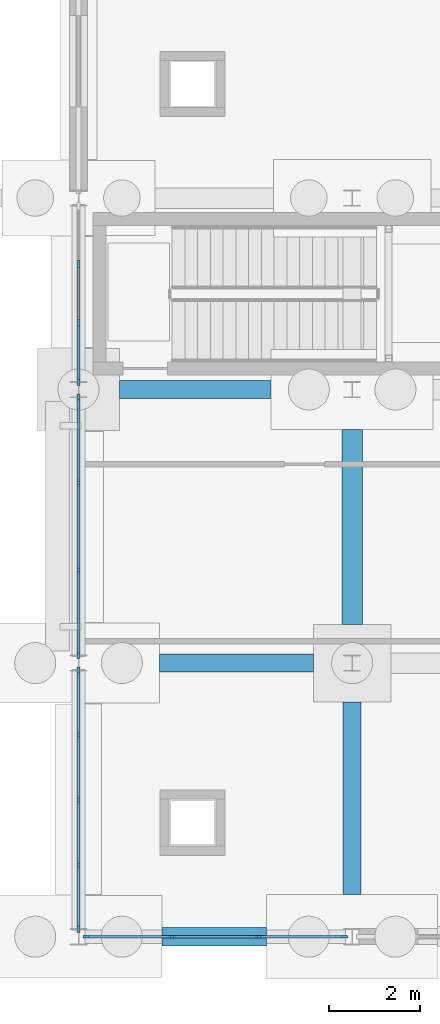
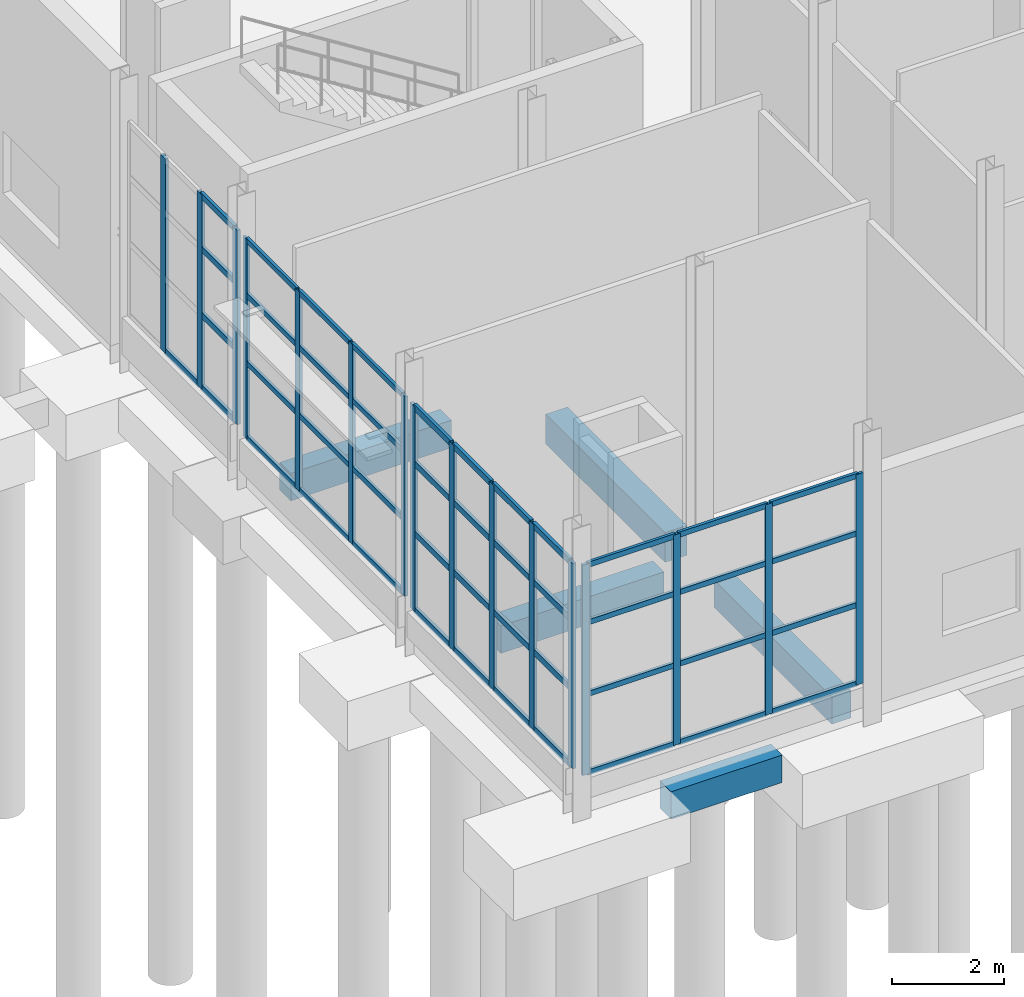
# One storey, part 30 of 120: 61 members, 5 beams, 4 elements without a shape of their own.
"""IFC4 building model written with IfcOpenShell, lengths in metres."""

import ifcopenshell
import ifcopenshell.guid

model = None  # the IFC model being written
_history = None  # IfcOwnerHistory: only IFC2X3 demands one
_inside = {}  # id of a spatial element -> (the spatial element, [elements in it])
_under = {}  # id of a project, library or spatial element -> (it, [spatial elements below it])
_declared = {}  # id of a project -> (the project, [libraries it declares])
_typed = {}  # id of a type object -> (the type object, [elements of that type])
_made_of = {}  # id of a material, layer set ... -> (it, [elements and type objects made of it])


def new_model(schema):
    """Start an empty IFC model of exactly this schema.

    Asked for "IFC4X3", IfcOpenShell would pick the latest addendum, in which some entities
    have other attributes; the version numbers below select the first issue.
    IFC2X3 requires an IfcOwnerHistory on every rooted entity: one is made here for all.
    """
    global model, _history
    if schema == "IFC4X3":
        model = ifcopenshell.file(schema_version=(4, 3, 0, 0))
    else:
        model = ifcopenshell.file(schema=schema)
    _inside.clear()
    _under.clear()
    _declared.clear()
    _typed.clear()
    _made_of.clear()
    _history = None
    if model.schema == "IFC2X3":
        org = make("IfcOrganization", Name="unknown")
        user = make(
            "IfcPersonAndOrganization",
            ThePerson=make("IfcPerson", FamilyName="unknown"),
            TheOrganization=org,
        )
        app = make(
            "IfcApplication",
            ApplicationDeveloper=org,
            Version="unknown",
            ApplicationFullName="unknown",
            ApplicationIdentifier="unknown",
        )
        _history = make(
            "IfcOwnerHistory",
            OwningUser=user,
            OwningApplication=app,
            ChangeAction="ADDED",
            CreationDate=0,
        )
    return model


def make(cls, **values):
    """One entity of the class cls with the attributes given. An attribute that is None is left unset."""
    return model.create_entity(
        cls, **{name: value for name, value in values.items() if value is not None}
    )


def rooted(cls, **values):
    """An entity with a GlobalId (a new one), such as an element, a storey or a relation."""
    return make(cls, GlobalId=ifcopenshell.guid.new(), OwnerHistory=_history, **values)


def si_unit(unit_type, name, prefix=None):
    """IfcSIUnit, for example si_unit("LENGTHUNIT", "METRE", prefix="MILLI")."""
    return make("IfcSIUnit", UnitType=unit_type, Prefix=prefix, Name=name)


def assignment(units):
    """IfcUnitAssignment: the units of a project."""
    return None if units is None else make("IfcUnitAssignment", Units=units)


def point(xyz):
    """IfcCartesianPoint."""
    return None if xyz is None else make("IfcCartesianPoint", Coordinates=xyz)


def direction(xyz):
    """IfcDirection."""
    return None if xyz is None else make("IfcDirection", DirectionRatios=xyz)


def frame(location, z_axis=None, x_axis=None):
    """IfcAxis2Placement3D, a coordinate frame: its origin and axes. An axis left out is left unset."""
    return make(
        "IfcAxis2Placement3D",
        Location=point(location),
        Axis=direction(z_axis),
        RefDirection=direction(x_axis),
    )


def frame_2d(location, x_axis=None):
    """IfcAxis2Placement2D, a coordinate frame in the plane: its origin and x axis."""
    return make(
        "IfcAxis2Placement2D", Location=point(location), RefDirection=direction(x_axis)
    )


def origin():
    """The frame at (0, 0, 0) with its axes left unset."""
    return frame((0.0, 0.0, 0.0))


def origin_2d():
    """The frame at (0, 0) in the plane with its x axis left unset."""
    return frame_2d((0.0, 0.0))


def place(relative_to, where):
    """IfcLocalPlacement: puts the frame where relative to a parent placement (None: the world)."""
    return make(
        "IfcLocalPlacement", PlacementRelTo=relative_to, RelativePlacement=where
    )


def context(
    kind, dimensions, precision=None, world=None, true_north=None, identifier=None
):
    """IfcGeometricRepresentationContext, for example the 3D "Model" context."""
    return make(
        "IfcGeometricRepresentationContext",
        ContextIdentifier=identifier,
        ContextType=kind,
        CoordinateSpaceDimension=dimensions,
        Precision=precision,
        WorldCoordinateSystem=world,
        TrueNorth=true_north,
    )


def subcontext(parent, identifier, kind, view, scale=None):
    """IfcGeometricRepresentationSubContext, for example "Body" below "Model"."""
    return make(
        "IfcGeometricRepresentationSubContext",
        ContextIdentifier=identifier,
        ContextType=kind,
        ParentContext=parent,
        TargetScale=scale,
        TargetView=view,
    )


def project(units=None, contexts=None):
    """IfcProject with its units and contexts."""
    return rooted(
        "IfcProject",
        Name="project",
        RepresentationContexts=contexts,
        UnitsInContext=assignment(units),
    )


def spatial(cls, under=None, at=None, **own):
    """A site, building, storey or space (cls), placed at a placement, below another one or the project."""
    s = rooted(cls, ObjectPlacement=at, **own)
    if under is not None:
        _under.setdefault(under.id(), (under, []))[1].append(s)
    return s


def profile(cls, at=None, kind="AREA", **sizes):
    """A parametric profile (cls). Its sizes go by their IFC names, for example OverallWidth=200.0."""
    return make(cls, ProfileType=kind, Position=at, **sizes)


def rectangle(**sizes):
    """IfcRectangleProfileDef."""
    return profile("IfcRectangleProfileDef", **sizes)


def extrude(swept, where, along, depth):
    """IfcExtrudedAreaSolid: the profile swept, set in the frame where, extruded along a direction by depth."""
    return make(
        "IfcExtrudedAreaSolid",
        SweptArea=swept,
        Position=where,
        ExtrudedDirection=direction(along),
        Depth=depth,
    )


def shape(context_of_items, identifier, shape_type, items):
    """IfcShapeRepresentation: the items that make up one representation, for example the "Body"."""
    return make(
        "IfcShapeRepresentation",
        ContextOfItems=context_of_items,
        RepresentationIdentifier=identifier,
        RepresentationType=shape_type,
        Items=items,
    )


def material(Name=None, Category=None):
    """IfcMaterial."""
    return make("IfcMaterial", Name=Name, Category=Category)


def material_profile(
    of_material, cross_section, Name=None, Category=None, Priority=None
):
    """IfcMaterialProfile: a cross section and its material."""
    return make(
        "IfcMaterialProfile",
        Name=Name,
        Material=of_material,
        Profile=cross_section,
        Priority=Priority,
        Category=Category,
    )


def profile_set(profiles, Name=None, composite=None):
    """IfcMaterialProfileSet."""
    return make(
        "IfcMaterialProfileSet",
        Name=Name,
        MaterialProfiles=profiles,
        CompositeProfile=composite,
    )


def made_of(thing, what):
    """Note that an element or type object is made of a material, layer set ...; save() writes the relation."""
    if what is not None:
        _made_of.setdefault(what.id(), (what, []))[1].append(thing)
    return thing


def type_object(cls, material=None, **own):
    """A type object (cls), such as IfcWallType, which elements share."""
    return made_of(rooted(cls, **own), material)


def element(
    cls,
    number,
    at=None,
    inside=None,
    cuts=None,
    type_object=None,
    material=None,
    context=None,
    identifier="Body",
    shape_type=None,
    held_by="IfcProductDefinitionShape",
    body=None,
    shapes=None,
    **own,
):
    """One element of the class cls, such as IfcWall. Its Tag is "e" and its number.

    at: its placement. inside: the storey or other place that contains it. cuts: it is an
    opening in that element (IfcRelVoidsElement). A single representation is given by context,
    identifier, shape_type and body (its items); several are given by shapes. held_by: the class
    of the entity that holds the representations. save() writes the other relations.
    """
    e = rooted(cls, Tag="e%d" % number, ObjectPlacement=at, **own)
    if body is not None:
        shapes = [shape(context, identifier, shape_type, body)]
    if shapes is not None:
        e.Representation = make(held_by, Representations=shapes)
    if inside is not None:
        _inside.setdefault(inside.id(), (inside, []))[1].append(e)
    if cuts is not None:
        rooted(
            "IfcRelVoidsElement", RelatingBuildingElement=cuts, RelatedOpeningElement=e
        )
    if type_object is not None:
        _typed.setdefault(type_object.id(), (type_object, []))[1].append(e)
    return made_of(e, material)


def aggregate(whole, parts):
    """IfcRelAggregates: a whole, such as a stair, and the parts it consists of."""
    return rooted("IfcRelAggregates", RelatingObject=whole, RelatedObjects=parts)


def save(model, path):
    """Write the relations noted so far, then the file.

    IfcRelAggregates (storeys below a building ...), IfcRelContainedInSpatialStructure (elements
    in a storey), IfcRelDefinesByType, IfcRelAssociatesMaterial and IfcRelDeclares: one each for
    every whole, place, type object, material and project.
    """
    for whole, parts in _under.values():
        aggregate(whole, parts)
    for where, things in _inside.values():
        rooted(
            "IfcRelContainedInSpatialStructure",
            RelatedElements=things,
            RelatingStructure=where,
        )
    for kind, things in _typed.values():
        rooted("IfcRelDefinesByType", RelatedObjects=things, RelatingType=kind)
    for what, things in _made_of.values():
        rooted("IfcRelAssociatesMaterial", RelatedObjects=things, RelatingMaterial=what)
    for by, libraries in _declared.values():
        rooted("IfcRelDeclares", RelatingContext=by, RelatedDefinitions=libraries)
    model.write(path)


model = new_model("IFC4")

# Units and contexts
model_context = context("Model", 3, precision=1e-05, world=origin(), true_north=direction((0.0, 1.0)))
body_context = subcontext(model_context, "Body", "Model", "MODEL_VIEW")
ifc_project = project(units=[si_unit("LENGTHUNIT", "METRE"), si_unit("AREAUNIT", "SQUARE_METRE"), si_unit("VOLUMEUNIT", "CUBIC_METRE"), si_unit("PLANEANGLEUNIT", "RADIAN"), si_unit("MASSUNIT", "GRAM", prefix="KILO")], contexts=[model_context])

# Site, building, storey
site_placement = place(None, origin())
site = spatial("IfcSite", under=ifc_project, at=site_placement, CompositionType="ELEMENT")
building_placement = place(site_placement, origin())
building = spatial("IfcBuilding", under=site, at=building_placement, Name="Siltcreek Boulevard Central Fire Station", CompositionType="ELEMENT")
storey_placement = place(building_placement, origin())
storey = spatial("IfcBuildingStorey", under=building, at=storey_placement, Name="L01", CompositionType="ELEMENT", Elevation=0.0)

# Curtain wall, members
ifc_material_1 = material(Name="Anodized aluminum and low-E insulated glazing", Category="aluminium")
curtain_wall_type_1 = type_object("IfcCurtainWallType", Name="CW_SYS_02", PredefinedType="USERDEFINED", material=ifc_material_1)
curtain_wall_1_placement = place(storey_placement, origin())
curtain_wall_1 = element("IfcCurtainWall", 1, at=curtain_wall_1_placement, inside=storey, type_object=curtain_wall_type_1, Name="L01 V1 unitised curtain wall CW-001", ObjectType="CURTAIN WALL", PredefinedType="USERDEFINED")
ifc_material_2 = material(Name="Anodized 6063-T6 aluminum framing", Category="aluminium")
ifc_material_profile_1 = material_profile(ifc_material_2, rectangle(XDim=0.06005859375, YDim=0.14990234375, at=origin_2d()), Name="MULL60X150")
ifc_profile_set_1 = profile_set([ifc_material_profile_1], Name="Anodized 6063-T6 aluminum framing")
member_type_1 = type_object("IfcMemberType", Name="CWM_60X150", PredefinedType="MULLION", material=ifc_profile_set_1)
member_1_placement = place(storey_placement, frame((42.175048828125, 1.800048828125, 0.43994140625), z_axis=(0.0, 0.0, 1.0), x_axis=(0.0, 1.0, 0.0)))
member_1 = element("IfcMember", 2, at=member_1_placement, type_object=member_type_1, Name="CW-001 mullion 1", PredefinedType="MULLION", context=body_context, shape_type="SweptSolid", body=[
    extrude(rectangle(XDim=0.06005859375, YDim=0.14990234375, at=origin_2d()), origin(), (0.0, 0.0, 1.0), 4.594970703125),
])
member_2_placement = place(storey_placement, frame((44.04833984375, 1.800048828125, 0.43994140625), z_axis=(0.0, 0.0, 1.0), x_axis=(0.0, 1.0, 0.0)))
member_2 = element("IfcMember", 3, at=member_2_placement, type_object=member_type_1, Name="CW-001 mullion 2", PredefinedType="MULLION", context=body_context, shape_type="SweptSolid", body=[
    extrude(rectangle(XDim=0.06005859375, YDim=0.14990234375, at=origin_2d()), origin(), (0.0, 0.0, 1.0), 4.594970703125),
])
member_3_placement = place(storey_placement, frame((45.95166015625, 1.800048828125, 0.43994140625), z_axis=(0.0, 0.0, 1.0), x_axis=(0.0, 1.0, 0.0)))
member_3 = element("IfcMember", 4, at=member_3_placement, type_object=member_type_1, Name="CW-001 mullion 3", PredefinedType="MULLION", context=body_context, shape_type="SweptSolid", body=[
    extrude(rectangle(XDim=0.06005859375, YDim=0.14990234375, at=origin_2d()), origin(), (0.0, 0.0, 1.0), 4.594970703125),
])
member_4_placement = place(storey_placement, frame((47.824951171875, 1.800048828125, 0.43994140625), z_axis=(0.0, 0.0, 1.0), x_axis=(0.0, 1.0, 0.0)))
member_4 = element("IfcMember", 5, at=member_4_placement, type_object=member_type_1, Name="CW-001 mullion 4", PredefinedType="MULLION", context=body_context, shape_type="SweptSolid", body=[
    extrude(rectangle(XDim=0.06005859375, YDim=0.14990234375, at=origin_2d()), origin(), (0.0, 0.0, 1.0), 4.594970703125),
])

curtain_wall_type_2 = type_object("IfcCurtainWallType", Name="CW_SYS_10", PredefinedType="USERDEFINED", material=ifc_material_1)
curtain_wall_2_placement = place(storey_placement, origin())
curtain_wall_2 = element("IfcCurtainWall", 6, at=curtain_wall_2_placement, inside=storey, type_object=curtain_wall_type_2, Name="L01 V1 unitised curtain wall CW-009", ObjectType="CURTAIN WALL", PredefinedType="USERDEFINED")
member_5_placement = place(storey_placement, frame((42.0, 13.625, 0.679931640625), z_axis=(0.0, 0.0, 1.0), x_axis=(1.0, 0.0, 0.0)))
member_5 = element("IfcMember", 7, at=member_5_placement, type_object=member_type_1, Name="CW-009 mullion 1", PredefinedType="MULLION", context=body_context, shape_type="SweptSolid", body=[
    extrude(rectangle(XDim=0.06005859375, YDim=0.14990234375, at=origin_2d()), origin(), (0.0, 0.0, 1.0), 4.364013671875),
])
member_6_placement = place(storey_placement, frame((42.0, 11.751708984375, 0.679931640625), z_axis=(0.0, 0.0, 1.0), x_axis=(1.0, 0.0, 0.0)))
member_6 = element("IfcMember", 8, at=member_6_placement, type_object=member_type_1, Name="CW-009 mullion 2", PredefinedType="MULLION", context=body_context, shape_type="SweptSolid", body=[
    extrude(rectangle(XDim=0.06005859375, YDim=0.14990234375, at=origin_2d()), origin(), (0.0, 0.0, 1.0), 4.364013671875),
])
member_7_placement = place(storey_placement, frame((42.0, 9.848388671875, 0.679931640625), z_axis=(0.0, 0.0, 1.0), x_axis=(1.0, 0.0, 0.0)))
member_7 = element("IfcMember", 9, at=member_7_placement, type_object=member_type_1, Name="CW-009 mullion 3", PredefinedType="MULLION", context=body_context, shape_type="SweptSolid", body=[
    extrude(rectangle(XDim=0.06005859375, YDim=0.14990234375, at=origin_2d()), origin(), (0.0, 0.0, 1.0), 4.364013671875),
])
member_8_placement = place(storey_placement, frame((42.0, 7.97509765625, 0.679931640625), z_axis=(0.0, 0.0, 1.0), x_axis=(1.0, 0.0, 0.0)))
member_8 = element("IfcMember", 10, at=member_8_placement, type_object=member_type_1, Name="CW-009 mullion 4", PredefinedType="MULLION", context=body_context, shape_type="SweptSolid", body=[
    extrude(rectangle(XDim=0.06005859375, YDim=0.14990234375, at=origin_2d()), origin(), (0.0, 0.0, 1.0), 4.364013671875),
])

curtain_wall_type_3 = type_object("IfcCurtainWallType", Name="CW_SYS_09", PredefinedType="USERDEFINED", material=ifc_material_1)
curtain_wall_3_placement = place(storey_placement, origin())
curtain_wall_3 = element("IfcCurtainWall", 11, at=curtain_wall_3_placement, inside=storey, type_object=curtain_wall_type_3, Name="L01 V1 unitised curtain wall CW-008", ObjectType="CURTAIN WALL", PredefinedType="USERDEFINED")
ifc_material_profile_2 = material_profile(ifc_material_2, rectangle(XDim=0.06494140625, YDim=0.175048828125, at=origin_2d()), Name="MULL65X175")
ifc_profile_set_2 = profile_set([ifc_material_profile_2], Name="Anodized 6063-T6 aluminum framing")
member_type_2 = type_object("IfcMemberType", Name="CWM_65X175", PredefinedType="MULLION", material=ifc_profile_set_2)
member_9_placement = place(storey_placement, frame((42.0, 7.62255859375, 0.56005859375), z_axis=(0.0, 0.0, 1.0), x_axis=(1.0, 0.0, 0.0)))
member_9 = element("IfcMember", 12, at=member_9_placement, type_object=member_type_2, Name="CW-008 mullion 1", PredefinedType="MULLION", context=body_context, shape_type="SweptSolid", body=[
    extrude(rectangle(XDim=0.06494140625, YDim=0.175048828125, at=origin_2d()), origin(), (0.0, 0.0, 1.0), 4.48388671875),
])
member_10_placement = place(storey_placement, frame((42.0, 6.2275390625, 0.56005859375), z_axis=(0.0, 0.0, 1.0), x_axis=(1.0, 0.0, 0.0)))
member_10 = element("IfcMember", 13, at=member_10_placement, type_object=member_type_2, Name="CW-008 mullion 2", PredefinedType="MULLION", context=body_context, shape_type="SweptSolid", body=[
    extrude(rectangle(XDim=0.06494140625, YDim=0.175048828125, at=origin_2d()), origin(), (0.0, 0.0, 1.0), 4.48388671875),
])
member_11_placement = place(storey_placement, frame((42.0, 4.800048828125, 0.56005859375), z_axis=(0.0, 0.0, 1.0), x_axis=(1.0, 0.0, 0.0)))
member_11 = element("IfcMember", 14, at=member_11_placement, type_object=member_type_2, Name="CW-008 mullion 3", PredefinedType="MULLION", context=body_context, shape_type="SweptSolid", body=[
    extrude(rectangle(XDim=0.06494140625, YDim=0.175048828125, at=origin_2d()), origin(), (0.0, 0.0, 1.0), 4.48388671875),
])
member_12_placement = place(storey_placement, frame((42.0, 3.37255859375, 0.56005859375), z_axis=(0.0, 0.0, 1.0), x_axis=(1.0, 0.0, 0.0)))
member_12 = element("IfcMember", 15, at=member_12_placement, type_object=member_type_2, Name="CW-008 mullion 4", PredefinedType="MULLION", context=body_context, shape_type="SweptSolid", body=[
    extrude(rectangle(XDim=0.06494140625, YDim=0.175048828125, at=origin_2d()), origin(), (0.0, 0.0, 1.0), 4.48388671875),
])
member_13_placement = place(storey_placement, frame((42.0, 1.9775390625, 0.56005859375), z_axis=(0.0, 0.0, 1.0), x_axis=(1.0, 0.0, 0.0)))
member_13 = element("IfcMember", 16, at=member_13_placement, type_object=member_type_2, Name="CW-008 mullion 5", PredefinedType="MULLION", context=body_context, shape_type="SweptSolid", body=[
    extrude(rectangle(XDim=0.06494140625, YDim=0.175048828125, at=origin_2d()), origin(), (0.0, 0.0, 1.0), 4.48388671875),
])

curtain_wall_type_4 = type_object("IfcCurtainWallType", Name="CW_SYS_11", PredefinedType="USERDEFINED", material=ifc_material_1)
curtain_wall_4_placement = place(storey_placement, origin())
curtain_wall_4 = element("IfcCurtainWall", 17, at=curtain_wall_4_placement, inside=storey, type_object=curtain_wall_type_4, Name="L01 V1 unitised curtain wall CW-010", ObjectType="CURTAIN WALL", PredefinedType="USERDEFINED")
member_14_placement = place(storey_placement, frame((42.0, 16.5517578125, 0.800048828125), z_axis=(0.0, 0.0, 1.0), x_axis=(1.0, 0.0, 0.0)))
member_14 = element("IfcMember", 18, at=member_14_placement, type_object=member_type_2, Name="CW-010 mullion 2", PredefinedType="MULLION", context=body_context, shape_type="SweptSolid", body=[
    extrude(rectangle(XDim=0.06494140625, YDim=0.175048828125, at=origin_2d()), origin(), (0.0, 0.0, 1.0), 4.243896484375),
])
member_15_placement = place(storey_placement, frame((42.0, 15.248291015625, 0.800048828125), z_axis=(0.0, 0.0, 1.0), x_axis=(1.0, 0.0, 0.0)))
member_15 = element("IfcMember", 19, at=member_15_placement, type_object=member_type_2, Name="CW-010 mullion 3", PredefinedType="MULLION", context=body_context, shape_type="SweptSolid", body=[
    extrude(rectangle(XDim=0.06494140625, YDim=0.175048828125, at=origin_2d()), origin(), (0.0, 0.0, 1.0), 4.243896484375),
])
member_16_placement = place(storey_placement, frame((42.0, 13.9775390625, 0.800048828125), z_axis=(0.0, 0.0, 1.0), x_axis=(1.0, 0.0, 0.0)))
member_16 = element("IfcMember", 20, at=member_16_placement, type_object=member_type_2, Name="CW-010 mullion 4", PredefinedType="MULLION", context=body_context, shape_type="SweptSolid", body=[
    extrude(rectangle(XDim=0.06494140625, YDim=0.175048828125, at=origin_2d()), origin(), (0.0, 0.0, 1.0), 4.243896484375),
])

# Member
ifc_material_profile_3 = material_profile(ifc_material_2, rectangle(XDim=0.06005859375, YDim=0.114990234375, at=origin_2d()), Name="TRAN60X115")
ifc_profile_set_3 = profile_set([ifc_material_profile_3], Name="Anodized 6063-T6 aluminum framing")
member_type_3 = type_object("IfcMemberType", Name="CWT_60X115", PredefinedType="USERDEFINED", material=ifc_profile_set_3)
member_17_placement = place(storey_placement, frame((42.205078125, 1.800048828125, 0.469970703125), z_axis=(1.0, 0.0, 0.0), x_axis=(0.0, 1.0, 0.0)))
member_17 = element("IfcMember", 21, at=member_17_placement, type_object=member_type_3, Name="CW-001 transom 1.1", ObjectType="TRANSOM", PredefinedType="USERDEFINED", context=body_context, shape_type="SweptSolid", body=[
    extrude(rectangle(XDim=0.06005859375, YDim=0.114990234375, at=origin_2d()), origin(), (0.0, 0.0, 1.0), 1.813232421875),
])

member_18_placement = place(storey_placement, frame((42.205078125, 1.800048828125, 2.18603515625), z_axis=(1.0, 0.0, 0.0), x_axis=(0.0, 1.0, 0.0)))
member_18 = element("IfcMember", 22, at=member_18_placement, type_object=member_type_3, Name="CW-001 transom 1.2", ObjectType="TRANSOM", PredefinedType="USERDEFINED", context=body_context, shape_type="SweptSolid", body=[
    extrude(rectangle(XDim=0.06005859375, YDim=0.114990234375, at=origin_2d()), origin(), (0.0, 0.0, 1.0), 1.813232421875),
])

member_19_placement = place(storey_placement, frame((42.205078125, 1.800048828125, 3.748291015625), z_axis=(1.0, 0.0, 0.0), x_axis=(0.0, 1.0, 0.0)))
member_19 = element("IfcMember", 23, at=member_19_placement, type_object=member_type_3, Name="CW-001 transom 1.3", ObjectType="TRANSOM", PredefinedType="USERDEFINED", context=body_context, shape_type="SweptSolid", body=[
    extrude(rectangle(XDim=0.06005859375, YDim=0.114990234375, at=origin_2d()), origin(), (0.0, 0.0, 1.0), 1.813232421875),
])

member_20_placement = place(storey_placement, frame((42.205078125, 1.800048828125, 5.0048828125), z_axis=(1.0, 0.0, 0.0), x_axis=(0.0, 1.0, 0.0)))
member_20 = element("IfcMember", 24, at=member_20_placement, type_object=member_type_3, Name="CW-001 transom 1.4", ObjectType="TRANSOM", PredefinedType="USERDEFINED", context=body_context, shape_type="SweptSolid", body=[
    extrude(rectangle(XDim=0.06005859375, YDim=0.114990234375, at=origin_2d()), origin(), (0.0, 0.0, 1.0), 1.813232421875),
])

member_21_placement = place(storey_placement, frame((44.078369140625, 1.800048828125, 0.469970703125), z_axis=(1.0, 0.0, 0.0), x_axis=(0.0, 1.0, 0.0)))
member_21 = element("IfcMember", 25, at=member_21_placement, type_object=member_type_3, Name="CW-001 transom 2.1", ObjectType="TRANSOM", PredefinedType="USERDEFINED", context=body_context, shape_type="SweptSolid", body=[
    extrude(rectangle(XDim=0.06005859375, YDim=0.114990234375, at=origin_2d()), origin(), (0.0, 0.0, 1.0), 1.84326171875),
])

member_22_placement = place(storey_placement, frame((44.078369140625, 1.800048828125, 2.18603515625), z_axis=(1.0, 0.0, 0.0), x_axis=(0.0, 1.0, 0.0)))
member_22 = element("IfcMember", 26, at=member_22_placement, type_object=member_type_3, Name="CW-001 transom 2.2", ObjectType="TRANSOM", PredefinedType="USERDEFINED", context=body_context, shape_type="SweptSolid", body=[
    extrude(rectangle(XDim=0.06005859375, YDim=0.114990234375, at=origin_2d()), origin(), (0.0, 0.0, 1.0), 1.84326171875),
])

member_23_placement = place(storey_placement, frame((44.078369140625, 1.800048828125, 3.748291015625), z_axis=(1.0, 0.0, 0.0), x_axis=(0.0, 1.0, 0.0)))
member_23 = element("IfcMember", 27, at=member_23_placement, type_object=member_type_3, Name="CW-001 transom 2.3", ObjectType="TRANSOM", PredefinedType="USERDEFINED", context=body_context, shape_type="SweptSolid", body=[
    extrude(rectangle(XDim=0.06005859375, YDim=0.114990234375, at=origin_2d()), origin(), (0.0, 0.0, 1.0), 1.84326171875),
])

member_24_placement = place(storey_placement, frame((44.078369140625, 1.800048828125, 5.0048828125), z_axis=(1.0, 0.0, 0.0), x_axis=(0.0, 1.0, 0.0)))
member_24 = element("IfcMember", 28, at=member_24_placement, type_object=member_type_3, Name="CW-001 transom 2.4", ObjectType="TRANSOM", PredefinedType="USERDEFINED", context=body_context, shape_type="SweptSolid", body=[
    extrude(rectangle(XDim=0.06005859375, YDim=0.114990234375, at=origin_2d()), origin(), (0.0, 0.0, 1.0), 1.84326171875),
])

member_25_placement = place(storey_placement, frame((45.981689453125, 1.800048828125, 0.469970703125), z_axis=(1.0, 0.0, 0.0), x_axis=(0.0, 1.0, 0.0)))
member_25 = element("IfcMember", 29, at=member_25_placement, type_object=member_type_3, Name="CW-001 transom 3.1", ObjectType="TRANSOM", PredefinedType="USERDEFINED", context=body_context, shape_type="SweptSolid", body=[
    extrude(rectangle(XDim=0.06005859375, YDim=0.114990234375, at=origin_2d()), origin(), (0.0, 0.0, 1.0), 1.813232421875),
])

member_26_placement = place(storey_placement, frame((45.981689453125, 1.800048828125, 2.18603515625), z_axis=(1.0, 0.0, 0.0), x_axis=(0.0, 1.0, 0.0)))
member_26 = element("IfcMember", 30, at=member_26_placement, type_object=member_type_3, Name="CW-001 transom 3.2", ObjectType="TRANSOM", PredefinedType="USERDEFINED", context=body_context, shape_type="SweptSolid", body=[
    extrude(rectangle(XDim=0.06005859375, YDim=0.114990234375, at=origin_2d()), origin(), (0.0, 0.0, 1.0), 1.813232421875),
])

member_27_placement = place(storey_placement, frame((45.981689453125, 1.800048828125, 3.748291015625), z_axis=(1.0, 0.0, 0.0), x_axis=(0.0, 1.0, 0.0)))
member_27 = element("IfcMember", 31, at=member_27_placement, type_object=member_type_3, Name="CW-001 transom 3.3", ObjectType="TRANSOM", PredefinedType="USERDEFINED", context=body_context, shape_type="SweptSolid", body=[
    extrude(rectangle(XDim=0.06005859375, YDim=0.114990234375, at=origin_2d()), origin(), (0.0, 0.0, 1.0), 1.813232421875),
])

member_28_placement = place(storey_placement, frame((45.981689453125, 1.800048828125, 5.0048828125), z_axis=(1.0, 0.0, 0.0), x_axis=(0.0, 1.0, 0.0)))
member_28 = element("IfcMember", 32, at=member_28_placement, type_object=member_type_3, Name="CW-001 transom 3.4", ObjectType="TRANSOM", PredefinedType="USERDEFINED", context=body_context, shape_type="SweptSolid", body=[
    extrude(rectangle(XDim=0.06005859375, YDim=0.114990234375, at=origin_2d()), origin(), (0.0, 0.0, 1.0), 1.813232421875),
])

aggregate(curtain_wall_1, [member_1, member_2, member_3, member_4, member_17, member_18, member_19, member_20, member_21, member_22, member_23, member_24, member_25, member_26, member_27, member_28])

member_29_placement = place(storey_placement, frame((42.0, 13.594970703125, 0.7099609375), z_axis=(0.0, -1.0, 0.0), x_axis=(1.0, 0.0, 0.0)))
member_29 = element("IfcMember", 33, at=member_29_placement, type_object=member_type_3, Name="CW-009 transom 1.1", ObjectType="TRANSOM", PredefinedType="USERDEFINED", context=body_context, shape_type="SweptSolid", body=[
    extrude(rectangle(XDim=0.06005859375, YDim=0.114990234375, at=origin_2d()), origin(), (0.0, 0.0, 1.0), 1.813232421875),
])

member_30_placement = place(storey_placement, frame((42.0, 13.594970703125, 2.33837890625), z_axis=(0.0, -1.0, 0.0), x_axis=(1.0, 0.0, 0.0)))
member_30 = element("IfcMember", 34, at=member_30_placement, type_object=member_type_3, Name="CW-009 transom 1.2", ObjectType="TRANSOM", PredefinedType="USERDEFINED", context=body_context, shape_type="SweptSolid", body=[
    extrude(rectangle(XDim=0.06005859375, YDim=0.114990234375, at=origin_2d()), origin(), (0.0, 0.0, 1.0), 1.813232421875),
])

member_31_placement = place(storey_placement, frame((42.0, 13.594970703125, 3.822021484375), z_axis=(0.0, -1.0, 0.0), x_axis=(1.0, 0.0, 0.0)))
member_31 = element("IfcMember", 35, at=member_31_placement, type_object=member_type_3, Name="CW-009 transom 1.3", ObjectType="TRANSOM", PredefinedType="USERDEFINED", context=body_context, shape_type="SweptSolid", body=[
    extrude(rectangle(XDim=0.06005859375, YDim=0.114990234375, at=origin_2d()), origin(), (0.0, 0.0, 1.0), 1.813232421875),
])

member_32_placement = place(storey_placement, frame((42.0, 13.594970703125, 5.013916015625), z_axis=(0.0, -1.0, 0.0), x_axis=(1.0, 0.0, 0.0)))
member_32 = element("IfcMember", 36, at=member_32_placement, type_object=member_type_3, Name="CW-009 transom 1.4", ObjectType="TRANSOM", PredefinedType="USERDEFINED", context=body_context, shape_type="SweptSolid", body=[
    extrude(rectangle(XDim=0.06005859375, YDim=0.114990234375, at=origin_2d()), origin(), (0.0, 0.0, 1.0), 1.813232421875),
])

member_33_placement = place(storey_placement, frame((42.0, 11.7216796875, 0.7099609375), z_axis=(0.0, -1.0, 0.0), x_axis=(1.0, 0.0, 0.0)))
member_33 = element("IfcMember", 37, at=member_33_placement, type_object=member_type_3, Name="CW-009 transom 2.1", ObjectType="TRANSOM", PredefinedType="USERDEFINED", context=body_context, shape_type="SweptSolid", body=[
    extrude(rectangle(XDim=0.06005859375, YDim=0.114990234375, at=origin_2d()), origin(), (0.0, 0.0, 1.0), 1.84326171875),
])

member_34_placement = place(storey_placement, frame((42.0, 11.7216796875, 2.33837890625), z_axis=(0.0, -1.0, 0.0), x_axis=(1.0, 0.0, 0.0)))
member_34 = element("IfcMember", 38, at=member_34_placement, type_object=member_type_3, Name="CW-009 transom 2.2", ObjectType="TRANSOM", PredefinedType="USERDEFINED", context=body_context, shape_type="SweptSolid", body=[
    extrude(rectangle(XDim=0.06005859375, YDim=0.114990234375, at=origin_2d()), origin(), (0.0, 0.0, 1.0), 1.84326171875),
])

member_35_placement = place(storey_placement, frame((42.0, 11.7216796875, 3.822021484375), z_axis=(0.0, -1.0, 0.0), x_axis=(1.0, 0.0, 0.0)))
member_35 = element("IfcMember", 39, at=member_35_placement, type_object=member_type_3, Name="CW-009 transom 2.3", ObjectType="TRANSOM", PredefinedType="USERDEFINED", context=body_context, shape_type="SweptSolid", body=[
    extrude(rectangle(XDim=0.06005859375, YDim=0.114990234375, at=origin_2d()), origin(), (0.0, 0.0, 1.0), 1.84326171875),
])

member_36_placement = place(storey_placement, frame((42.0, 11.7216796875, 5.013916015625), z_axis=(0.0, -1.0, 0.0), x_axis=(1.0, 0.0, 0.0)))
member_36 = element("IfcMember", 40, at=member_36_placement, type_object=member_type_3, Name="CW-009 transom 2.4", ObjectType="TRANSOM", PredefinedType="USERDEFINED", context=body_context, shape_type="SweptSolid", body=[
    extrude(rectangle(XDim=0.06005859375, YDim=0.114990234375, at=origin_2d()), origin(), (0.0, 0.0, 1.0), 1.84326171875),
])

member_37_placement = place(storey_placement, frame((42.0, 9.818359375, 0.7099609375), z_axis=(0.0, -1.0, 0.0), x_axis=(1.0, 0.0, 0.0)))
member_37 = element("IfcMember", 41, at=member_37_placement, type_object=member_type_3, Name="CW-009 transom 3.1", ObjectType="TRANSOM", PredefinedType="USERDEFINED", context=body_context, shape_type="SweptSolid", body=[
    extrude(rectangle(XDim=0.06005859375, YDim=0.114990234375, at=origin_2d()), origin(), (0.0, 0.0, 1.0), 1.8134765625),
])

member_38_placement = place(storey_placement, frame((42.0, 9.818359375, 2.33837890625), z_axis=(0.0, -1.0, 0.0), x_axis=(1.0, 0.0, 0.0)))
member_38 = element("IfcMember", 42, at=member_38_placement, type_object=member_type_3, Name="CW-009 transom 3.2", ObjectType="TRANSOM", PredefinedType="USERDEFINED", context=body_context, shape_type="SweptSolid", body=[
    extrude(rectangle(XDim=0.06005859375, YDim=0.114990234375, at=origin_2d()), origin(), (0.0, 0.0, 1.0), 1.8134765625),
])

member_39_placement = place(storey_placement, frame((42.0, 9.818359375, 3.822021484375), z_axis=(0.0, -1.0, 0.0), x_axis=(1.0, 0.0, 0.0)))
member_39 = element("IfcMember", 43, at=member_39_placement, type_object=member_type_3, Name="CW-009 transom 3.3", ObjectType="TRANSOM", PredefinedType="USERDEFINED", context=body_context, shape_type="SweptSolid", body=[
    extrude(rectangle(XDim=0.06005859375, YDim=0.114990234375, at=origin_2d()), origin(), (0.0, 0.0, 1.0), 1.8134765625),
])

member_40_placement = place(storey_placement, frame((42.0, 9.818359375, 5.013916015625), z_axis=(0.0, -1.0, 0.0), x_axis=(1.0, 0.0, 0.0)))
member_40 = element("IfcMember", 44, at=member_40_placement, type_object=member_type_3, Name="CW-009 transom 3.4", ObjectType="TRANSOM", PredefinedType="USERDEFINED", context=body_context, shape_type="SweptSolid", body=[
    extrude(rectangle(XDim=0.06005859375, YDim=0.114990234375, at=origin_2d()), origin(), (0.0, 0.0, 1.0), 1.8134765625),
])

aggregate(curtain_wall_2, [member_5, member_6, member_7, member_8, member_29, member_30, member_31, member_32, member_33, member_34, member_35, member_36, member_37, member_38, member_39, member_40])

ifc_material_profile_4 = material_profile(ifc_material_2, rectangle(XDim=0.06494140625, YDim=0.135009765625, at=origin_2d()), Name="TRAN65X135")
ifc_profile_set_4 = profile_set([ifc_material_profile_4], Name="Anodized 6063-T6 aluminum framing")
member_type_4 = type_object("IfcMemberType", Name="CWT_65X135", PredefinedType="USERDEFINED", material=ifc_profile_set_4)
member_41_placement = place(storey_placement, frame((42.0, 7.590087890625, 0.592529296875), z_axis=(0.0, -1.0, 0.0), x_axis=(1.0, 0.0, 0.0)))
member_41 = element("IfcMember", 45, at=member_41_placement, type_object=member_type_4, Name="CW-008 transom 1.1", ObjectType="TRANSOM", PredefinedType="USERDEFINED", context=body_context, shape_type="SweptSolid", body=[
    extrude(rectangle(XDim=0.06494140625, YDim=0.135009765625, at=origin_2d()), origin(), (0.0, 0.0, 1.0), 1.330078125),
])

member_42_placement = place(storey_placement, frame((42.0, 7.590087890625, 2.263916015625), z_axis=(0.0, -1.0, 0.0), x_axis=(1.0, 0.0, 0.0)))
member_42 = element("IfcMember", 46, at=member_42_placement, type_object=member_type_4, Name="CW-008 transom 1.2", ObjectType="TRANSOM", PredefinedType="USERDEFINED", context=body_context, shape_type="SweptSolid", body=[
    extrude(rectangle(XDim=0.06494140625, YDim=0.135009765625, at=origin_2d()), origin(), (0.0, 0.0, 1.0), 1.330078125),
])

member_43_placement = place(storey_placement, frame((42.0, 7.590087890625, 3.78857421875), z_axis=(0.0, -1.0, 0.0), x_axis=(1.0, 0.0, 0.0)))
member_43 = element("IfcMember", 47, at=member_43_placement, type_object=member_type_4, Name="CW-008 transom 1.3", ObjectType="TRANSOM", PredefinedType="USERDEFINED", context=body_context, shape_type="SweptSolid", body=[
    extrude(rectangle(XDim=0.06494140625, YDim=0.135009765625, at=origin_2d()), origin(), (0.0, 0.0, 1.0), 1.330078125),
])

member_44_placement = place(storey_placement, frame((42.0, 7.590087890625, 5.011474609375), z_axis=(0.0, -1.0, 0.0), x_axis=(1.0, 0.0, 0.0)))
member_44 = element("IfcMember", 48, at=member_44_placement, type_object=member_type_4, Name="CW-008 transom 1.4", ObjectType="TRANSOM", PredefinedType="USERDEFINED", context=body_context, shape_type="SweptSolid", body=[
    extrude(rectangle(XDim=0.06494140625, YDim=0.135009765625, at=origin_2d()), origin(), (0.0, 0.0, 1.0), 1.330078125),
])

member_45_placement = place(storey_placement, frame((42.0, 6.195068359375, 0.592529296875), z_axis=(0.0, -1.0, 0.0), x_axis=(1.0, 0.0, 0.0)))
member_45 = element("IfcMember", 49, at=member_45_placement, type_object=member_type_4, Name="CW-008 transom 2.1", ObjectType="TRANSOM", PredefinedType="USERDEFINED", context=body_context, shape_type="SweptSolid", body=[
    extrude(rectangle(XDim=0.06494140625, YDim=0.135009765625, at=origin_2d()), origin(), (0.0, 0.0, 1.0), 1.362548828125),
])

member_46_placement = place(storey_placement, frame((42.0, 6.195068359375, 2.263916015625), z_axis=(0.0, -1.0, 0.0), x_axis=(1.0, 0.0, 0.0)))
member_46 = element("IfcMember", 50, at=member_46_placement, type_object=member_type_4, Name="CW-008 transom 2.2", ObjectType="TRANSOM", PredefinedType="USERDEFINED", context=body_context, shape_type="SweptSolid", body=[
    extrude(rectangle(XDim=0.06494140625, YDim=0.135009765625, at=origin_2d()), origin(), (0.0, 0.0, 1.0), 1.362548828125),
])

member_47_placement = place(storey_placement, frame((42.0, 6.195068359375, 3.78857421875), z_axis=(0.0, -1.0, 0.0), x_axis=(1.0, 0.0, 0.0)))
member_47 = element("IfcMember", 51, at=member_47_placement, type_object=member_type_4, Name="CW-008 transom 2.3", ObjectType="TRANSOM", PredefinedType="USERDEFINED", context=body_context, shape_type="SweptSolid", body=[
    extrude(rectangle(XDim=0.06494140625, YDim=0.135009765625, at=origin_2d()), origin(), (0.0, 0.0, 1.0), 1.362548828125),
])

member_48_placement = place(storey_placement, frame((42.0, 6.195068359375, 5.011474609375), z_axis=(0.0, -1.0, 0.0), x_axis=(1.0, 0.0, 0.0)))
member_48 = element("IfcMember", 52, at=member_48_placement, type_object=member_type_4, Name="CW-008 transom 2.4", ObjectType="TRANSOM", PredefinedType="USERDEFINED", context=body_context, shape_type="SweptSolid", body=[
    extrude(rectangle(XDim=0.06494140625, YDim=0.135009765625, at=origin_2d()), origin(), (0.0, 0.0, 1.0), 1.362548828125),
])

member_49_placement = place(storey_placement, frame((42.0, 4.767578125, 0.592529296875), z_axis=(0.0, -1.0, 0.0), x_axis=(1.0, 0.0, 0.0)))
member_49 = element("IfcMember", 53, at=member_49_placement, type_object=member_type_4, Name="CW-008 transom 3.1", ObjectType="TRANSOM", PredefinedType="USERDEFINED", context=body_context, shape_type="SweptSolid", body=[
    extrude(rectangle(XDim=0.06494140625, YDim=0.135009765625, at=origin_2d()), origin(), (0.0, 0.0, 1.0), 1.362548828125),
])

member_50_placement = place(storey_placement, frame((42.0, 4.767578125, 2.263916015625), z_axis=(0.0, -1.0, 0.0), x_axis=(1.0, 0.0, 0.0)))
member_50 = element("IfcMember", 54, at=member_50_placement, type_object=member_type_4, Name="CW-008 transom 3.2", ObjectType="TRANSOM", PredefinedType="USERDEFINED", context=body_context, shape_type="SweptSolid", body=[
    extrude(rectangle(XDim=0.06494140625, YDim=0.135009765625, at=origin_2d()), origin(), (0.0, 0.0, 1.0), 1.362548828125),
])

member_51_placement = place(storey_placement, frame((42.0, 4.767578125, 3.78857421875), z_axis=(0.0, -1.0, 0.0), x_axis=(1.0, 0.0, 0.0)))
member_51 = element("IfcMember", 55, at=member_51_placement, type_object=member_type_4, Name="CW-008 transom 3.3", ObjectType="TRANSOM", PredefinedType="USERDEFINED", context=body_context, shape_type="SweptSolid", body=[
    extrude(rectangle(XDim=0.06494140625, YDim=0.135009765625, at=origin_2d()), origin(), (0.0, 0.0, 1.0), 1.362548828125),
])

member_52_placement = place(storey_placement, frame((42.0, 4.767578125, 5.011474609375), z_axis=(0.0, -1.0, 0.0), x_axis=(1.0, 0.0, 0.0)))
member_52 = element("IfcMember", 56, at=member_52_placement, type_object=member_type_4, Name="CW-008 transom 3.4", ObjectType="TRANSOM", PredefinedType="USERDEFINED", context=body_context, shape_type="SweptSolid", body=[
    extrude(rectangle(XDim=0.06494140625, YDim=0.135009765625, at=origin_2d()), origin(), (0.0, 0.0, 1.0), 1.362548828125),
])

member_53_placement = place(storey_placement, frame((42.0, 3.340087890625, 0.592529296875), z_axis=(0.0, -1.0, 0.0), x_axis=(1.0, 0.0, 0.0)))
member_53 = element("IfcMember", 57, at=member_53_placement, type_object=member_type_4, Name="CW-008 transom 4.1", ObjectType="TRANSOM", PredefinedType="USERDEFINED", context=body_context, shape_type="SweptSolid", body=[
    extrude(rectangle(XDim=0.06494140625, YDim=0.135009765625, at=origin_2d()), origin(), (0.0, 0.0, 1.0), 1.330078125),
])

member_54_placement = place(storey_placement, frame((42.0, 3.340087890625, 2.263916015625), z_axis=(0.0, -1.0, 0.0), x_axis=(1.0, 0.0, 0.0)))
member_54 = element("IfcMember", 58, at=member_54_placement, type_object=member_type_4, Name="CW-008 transom 4.2", ObjectType="TRANSOM", PredefinedType="USERDEFINED", context=body_context, shape_type="SweptSolid", body=[
    extrude(rectangle(XDim=0.06494140625, YDim=0.135009765625, at=origin_2d()), origin(), (0.0, 0.0, 1.0), 1.330078125),
])

member_55_placement = place(storey_placement, frame((42.0, 3.340087890625, 3.78857421875), z_axis=(0.0, -1.0, 0.0), x_axis=(1.0, 0.0, 0.0)))
member_55 = element("IfcMember", 59, at=member_55_placement, type_object=member_type_4, Name="CW-008 transom 4.3", ObjectType="TRANSOM", PredefinedType="USERDEFINED", context=body_context, shape_type="SweptSolid", body=[
    extrude(rectangle(XDim=0.06494140625, YDim=0.135009765625, at=origin_2d()), origin(), (0.0, 0.0, 1.0), 1.330078125),
])

member_56_placement = place(storey_placement, frame((42.0, 3.340087890625, 5.011474609375), z_axis=(0.0, -1.0, 0.0), x_axis=(1.0, 0.0, 0.0)))
member_56 = element("IfcMember", 60, at=member_56_placement, type_object=member_type_4, Name="CW-008 transom 4.4", ObjectType="TRANSOM", PredefinedType="USERDEFINED", context=body_context, shape_type="SweptSolid", body=[
    extrude(rectangle(XDim=0.06494140625, YDim=0.135009765625, at=origin_2d()), origin(), (0.0, 0.0, 1.0), 1.330078125),
])

aggregate(curtain_wall_3, [member_9, member_10, member_11, member_12, member_13, member_41, member_42, member_43, member_44, member_45, member_46, member_47, member_48, member_49, member_50, member_51, member_52, member_53, member_54, member_55, member_56])

member_57_placement = place(storey_placement, frame((42.0, 16.519287109375, 0.83251953125), z_axis=(0.0, -1.0, 0.0), x_axis=(1.0, 0.0, 0.0)))
member_57 = element("IfcMember", 61, at=member_57_placement, type_object=member_type_4, Name="CW-010 transom 2.1", ObjectType="TRANSOM", PredefinedType="USERDEFINED", context=body_context, shape_type="SweptSolid", body=[
    extrude(rectangle(XDim=0.06494140625, YDim=0.135009765625, at=origin_2d()), origin(), (0.0, 0.0, 1.0), 1.238525390625),
])

member_58_placement = place(storey_placement, frame((42.0, 15.2158203125, 0.83251953125), z_axis=(0.0, -1.0, 0.0), x_axis=(1.0, 0.0, 0.0)))
member_58 = element("IfcMember", 62, at=member_58_placement, type_object=member_type_4, Name="CW-010 transom 3.1", ObjectType="TRANSOM", PredefinedType="USERDEFINED", context=body_context, shape_type="SweptSolid", body=[
    extrude(rectangle(XDim=0.06494140625, YDim=0.135009765625, at=origin_2d()), origin(), (0.0, 0.0, 1.0), 1.205810546875),
])

member_59_placement = place(storey_placement, frame((42.0, 15.2158203125, 2.41259765625), z_axis=(0.0, -1.0, 0.0), x_axis=(1.0, 0.0, 0.0)))
member_59 = element("IfcMember", 63, at=member_59_placement, type_object=member_type_4, Name="CW-010 transom 3.2", ObjectType="TRANSOM", PredefinedType="USERDEFINED", context=body_context, shape_type="SweptSolid", body=[
    extrude(rectangle(XDim=0.06494140625, YDim=0.135009765625, at=origin_2d()), origin(), (0.0, 0.0, 1.0), 1.205810546875),
])

member_60_placement = place(storey_placement, frame((42.0, 15.2158203125, 3.855712890625), z_axis=(0.0, -1.0, 0.0), x_axis=(1.0, 0.0, 0.0)))
member_60 = element("IfcMember", 64, at=member_60_placement, type_object=member_type_4, Name="CW-010 transom 3.3", ObjectType="TRANSOM", PredefinedType="USERDEFINED", context=body_context, shape_type="SweptSolid", body=[
    extrude(rectangle(XDim=0.06494140625, YDim=0.135009765625, at=origin_2d()), origin(), (0.0, 0.0, 1.0), 1.205810546875),
])

member_61_placement = place(storey_placement, frame((42.0, 15.2158203125, 5.011474609375), z_axis=(0.0, -1.0, 0.0), x_axis=(1.0, 0.0, 0.0)))
member_61 = element("IfcMember", 65, at=member_61_placement, type_object=member_type_4, Name="CW-010 transom 3.4", ObjectType="TRANSOM", PredefinedType="USERDEFINED", context=body_context, shape_type="SweptSolid", body=[
    extrude(rectangle(XDim=0.06494140625, YDim=0.135009765625, at=origin_2d()), origin(), (0.0, 0.0, 1.0), 1.205810546875),
])

aggregate(curtain_wall_4, [member_14, member_15, member_16, member_57, member_58, member_59, member_60, member_61])

# Beams
ifc_material_3 = material(Name="Concrete C35/45", Category="concrete")
ifc_material_profile_5 = material_profile(ifc_material_3, rectangle(XDim=0.39990234375, YDim=0.60009765625, at=origin_2d()), Name="RC400X600")
ifc_profile_set_5 = profile_set([ifc_material_profile_5], Name="Concrete C35/45")
beam_type_1 = type_object("IfcBeamType", Name="GB_RC400X600", PredefinedType="USERDEFINED", material=ifc_profile_set_5)
beam_1_placement = place(storey_placement, frame((43.826904296875, 1.800048828125, -0.7099609375), z_axis=(1.0, 0.0, 0.0), x_axis=(0.0, 1.0, 0.0)))
element("IfcBeam", 66, at=beam_1_placement, inside=storey, type_object=beam_type_1, Name="Reinforced concrete tie grade beam GB-001", ObjectType="GRADE BEAM", PredefinedType="USERDEFINED", context=body_context, shape_type="SweptSolid", body=[
    extrude(rectangle(XDim=0.39990234375, YDim=0.60009765625, at=origin_2d()), origin(), (0.0, 0.0, 1.0), 2.296142578125),
])
beam_2_placement = place(storey_placement, frame((43.777099609375, 7.800048828125, -0.7099609375), z_axis=(1.0, 0.0, 0.0), x_axis=(0.0, 1.0, 0.0)))
element("IfcBeam", 67, at=beam_2_placement, inside=storey, type_object=beam_type_1, Name="Reinforced concrete tie grade beam GB-011", ObjectType="GRADE BEAM", PredefinedType="USERDEFINED", context=body_context, shape_type="SweptSolid", body=[
    extrude(rectangle(XDim=0.39990234375, YDim=0.60009765625, at=origin_2d()), origin(), (0.0, 0.0, 1.0), 3.370849609375),
])
beam_3_placement = place(storey_placement, frame((42.902099609375, 13.800048828125, -0.7099609375), z_axis=(1.0, 0.0, 0.0), x_axis=(0.0, 1.0, 0.0)))
element("IfcBeam", 68, at=beam_3_placement, inside=storey, type_object=beam_type_1, Name="Reinforced concrete tie grade beam GB-017", ObjectType="GRADE BEAM", PredefinedType="USERDEFINED", context=body_context, shape_type="SweptSolid", body=[
    extrude(rectangle(XDim=0.39990234375, YDim=0.60009765625, at=origin_2d()), origin(), (0.0, 0.0, 1.0), 3.32080078125),
])
beam_4_placement = place(storey_placement, frame((48.0, 2.72705078125, -0.7099609375), z_axis=(0.0, 1.0, 0.0), x_axis=(-1.0, 0.0, 0.0)))
element("IfcBeam", 69, at=beam_4_placement, inside=storey, type_object=beam_type_1, Name="Reinforced concrete tie grade beam GB-153", ObjectType="GRADE BEAM", PredefinedType="USERDEFINED", context=body_context, shape_type="SweptSolid", body=[
    extrude(rectangle(XDim=0.39990234375, YDim=0.60009765625, at=origin_2d()), origin(), (0.0, 0.0, 1.0), 4.220947265625),
])
ifc_material_profile_6 = material_profile(ifc_material_3, rectangle(XDim=0.449951171875, YDim=0.64990234375, at=origin_2d()), Name="RC450X650")
ifc_profile_set_6 = profile_set([ifc_material_profile_6], Name="Concrete C35/45")
beam_type_2 = type_object("IfcBeamType", Name="GB_RC450X650", PredefinedType="USERDEFINED", material=ifc_profile_set_6)
beam_5_placement = place(storey_placement, frame((48.0, 8.652099609375, -0.735107421875), z_axis=(0.0, 1.0, 0.0), x_axis=(-1.0, 0.0, 0.0)))
element("IfcBeam", 70, at=beam_5_placement, inside=storey, type_object=beam_type_2, Name="Reinforced concrete tie grade beam GB-154", ObjectType="GRADE BEAM", PredefinedType="USERDEFINED", context=body_context, shape_type="SweptSolid", body=[
    extrude(rectangle(XDim=0.449951171875, YDim=0.64990234375, at=origin_2d()), origin(), (0.0, 0.0, 1.0), 4.27099609375),
])

save(model, "model.ifc")
